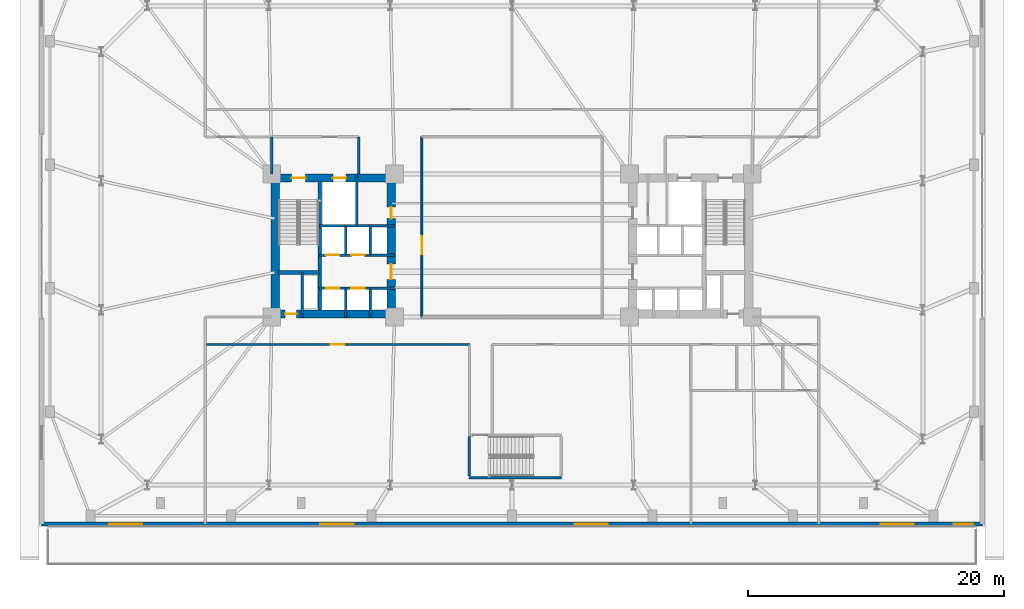
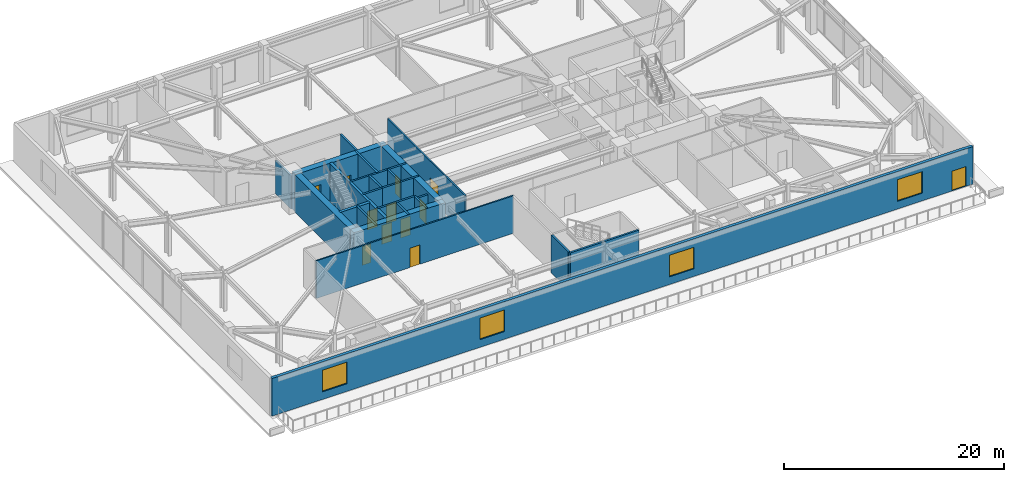
# One storey, part 13 of 21: 26 walls, 12 doors, 4 windows, 16 openings.
"""IFC4 building model written with IfcOpenShell, lengths in metres."""

from ifc_helpers import new_model, si_unit, direction, frame, frame_2d, origin, place, context, subcontext, project, spatial, rectangle, extrude, material, layer, layer_set, type_object, element, fill, save


model = new_model("IFC4")

# Units and contexts
model_context = context("Model", 3, precision=1e-05, world=origin(), true_north=direction((0.0, 1.0)))
body_context = subcontext(model_context, "Body", "Model", "MODEL_VIEW")
ifc_project = project(units=[si_unit("LENGTHUNIT", "METRE"), si_unit("AREAUNIT", "SQUARE_METRE"), si_unit("VOLUMEUNIT", "CUBIC_METRE"), si_unit("PLANEANGLEUNIT", "RADIAN"), si_unit("MASSUNIT", "GRAM", prefix="KILO")], contexts=[model_context])

# Site, building, storey
site_placement = place(None, origin())
site = spatial("IfcSite", under=ifc_project, at=site_placement, CompositionType="ELEMENT")
building_placement = place(site_placement, origin())
building = spatial("IfcBuilding", under=site, at=building_placement, Name="Qobustan Lattice House", CompositionType="ELEMENT")
storey_placement = place(building_placement, frame((0.0, 0.0, 13.5)))
storey = spatial("IfcBuildingStorey", under=building, at=storey_placement, Name="L03", CompositionType="ELEMENT", Elevation=13.5)

# Wall, openings, doors
ifc_material_1 = material(Name="Concrete C60/75", Category="concrete")
ifc_layer_1 = layer(ifc_material_1, 0.639892578125)
ifc_layer_set_1 = layer_set([ifc_layer_1], Name="Concrete C60/75")
wall_type_1 = type_object("IfcWallType", Name="WAL-CORE-640", PredefinedType="SHEAR", material=ifc_layer_set_1)
wall_1_placement = place(storey_placement, frame((-18.800048828125, 5.280029296875, 0.0), z_axis=(0.0, 0.0, 1.0), x_axis=(1.0, 0.0, 0.0)))
wall_1 = element("IfcWall", 1, at=wall_1_placement, inside=storey, type_object=wall_type_1, Name="L03 split-core shear wall CW-N", PredefinedType="SHEAR", context=body_context, shape_type="SweptSolid", body=[
    extrude(rectangle(XDim=9.60009765625, YDim=0.639892578125, at=frame_2d((4.800048828125, 0.0))), origin(), (0.0, 0.0, 1.0), 4.169921875),
])
opening_1_placement = place(wall_1_placement, frame((1.550048828125, 0.0, 0.0)))
opening_1 = element("IfcOpeningElement", 2, at=opening_1_placement, cuts=wall_1, Name="Opening SD-01", PredefinedType="OPENING", context=body_context, shape_type="SweptSolid", body=[
    extrude(rectangle(XDim=1.10009765625, YDim=2.14990234375, at=frame_2d((0.550048828125, 1.074951171875))), frame((0.0, 0.329833984375, 0.0), z_axis=(0.0, -1.0, 0.0), x_axis=(1.0, 0.0, 0.0)), (0.0, 0.0, 1.0), 0.659912109375),
])
opening_2_placement = place(wall_1_placement, frame((4.77490234375, 0.0, 0.0)))
opening_2 = element("IfcOpeningElement", 3, at=opening_2_placement, cuts=wall_1, Name="Opening LD-01", PredefinedType="OPENING", context=body_context, shape_type="SweptSolid", body=[
    extrude(rectangle(XDim=1.050048828125, YDim=2.10009765625, at=frame_2d((0.52490234375, 1.050048828125))), frame((0.0, 0.329833984375, 0.0), z_axis=(0.0, -1.0, 0.0), x_axis=(1.0, 0.0, 0.0)), (0.0, 0.0, 1.0), 0.659912109375),
])
ifc_material_2 = material(Name="Persian walnut timber and steel frame door", Category="steel")
door_type_1 = type_object("IfcDoorType", Name="DOR-LIFT-LD-1050x2100", OperationType="NOTDEFINED", PredefinedType="DOOR", material=ifc_material_2)
door_1_placement = place(opening_2_placement, origin())
door_1 = element("IfcDoor", 4, at=door_1_placement, inside=storey, type_object=door_type_1, Name="L03 firefighting lift FF-W landing door", OperationType="DOUBLE_DOOR_SLIDING", OverallHeight=2.10009765625, OverallWidth=1.050048828125, PredefinedType="DOOR", context=body_context, shape_type="SweptSolid", body=[
    extrude(rectangle(XDim=1.050048828125, YDim=2.10009765625, at=frame_2d((0.52490234375, 1.050048828125))), frame((0.0, 0.02490234375, 0.0), z_axis=(0.0, -1.0, 0.0), x_axis=(1.0, 0.0, 0.0)), (0.0, 0.0, 1.0), 0.050048828125),
])
fill(opening_2, door_1)
ifc_material_3 = material(Name="Persian walnut timber and steel frame door", Category="steel")
door_type_2 = type_object("IfcDoorType", Name="DOR-STAIR-FD-1100x2150", OperationType="NOTDEFINED", PredefinedType="DOOR", material=ifc_material_3)
door_2_placement = place(opening_1_placement, origin())
door_2 = element("IfcDoor", 5, at=door_2_placement, inside=storey, type_object=door_type_2, Name="L03 exit stair ST-W1 fire door", OperationType="SINGLE_SWING_RIGHT", OverallHeight=2.14990234375, OverallWidth=1.10009765625, PredefinedType="DOOR", context=body_context, shape_type="SweptSolid", body=[
    extrude(rectangle(XDim=1.10009765625, YDim=2.14990234375, at=frame_2d((0.550048828125, 1.074951171875))), frame((0.0, 0.02490234375, 0.0), z_axis=(0.0, -1.0, 0.0), x_axis=(1.0, 0.0, 0.0)), (0.0, 0.0, 1.0), 0.050048828125),
])
fill(opening_1, door_2)

# Wall, opening, door
wall_2_placement = place(storey_placement, frame((-18.800048828125, -5.35009765625, 0.0), z_axis=(0.0, 0.0, 1.0), x_axis=(1.0, 0.0, 0.0)))
wall_2 = element("IfcWall", 6, at=wall_2_placement, inside=storey, type_object=wall_type_1, Name="L03 split-core shear wall CW-S", PredefinedType="SHEAR", context=body_context, shape_type="SweptSolid", body=[
    extrude(rectangle(XDim=9.60009765625, YDim=0.639892578125, at=frame_2d((4.800048828125, 0.0))), origin(), (0.0, 0.0, 1.0), 4.169921875),
])
opening_3_placement = place(wall_2_placement, frame((1.050048828125, 0.0, 0.0)))
opening_3 = element("IfcOpeningElement", 7, at=opening_3_placement, cuts=wall_2, Name="Opening RD-01", PredefinedType="OPENING", context=body_context, shape_type="SweptSolid", body=[
    extrude(rectangle(XDim=0.89990234375, YDim=2.10009765625, at=frame_2d((0.449951171875, 1.050048828125))), frame((0.0, 0.329833984375, 0.0), z_axis=(0.0, -1.0, 0.0), x_axis=(1.0, 0.0, 0.0)), (0.0, 0.0, 1.0), 0.659912109375),
])
ifc_material_4 = material(Name="Persian walnut timber and steel frame door", Category="steel")
door_type_3 = type_object("IfcDoorType", Name="DOR-RISER-FD-900x2100", OperationType="NOTDEFINED", PredefinedType="DOOR", material=ifc_material_4)
door_3_placement = place(opening_3_placement, origin())
door_3 = element("IfcDoor", 8, at=door_3_placement, inside=storey, type_object=door_type_3, Name="L03 core service riser access door W", OperationType="SINGLE_SWING_RIGHT", OverallHeight=2.10009765625, OverallWidth=0.89990234375, PredefinedType="DOOR", context=body_context, shape_type="SweptSolid", body=[
    extrude(rectangle(XDim=0.89990234375, YDim=2.10009765625, at=frame_2d((0.449951171875, 1.050048828125))), frame((0.0, 0.02490234375, 0.0), z_axis=(0.0, -1.0, 0.0), x_axis=(1.0, 0.0, 0.0)), (0.0, 0.0, 1.0), 0.050048828125),
])
fill(opening_3, door_3)

# Wall
wall_3_placement = place(storey_placement, frame((-18.530029296875, -5.050048828125, 0.0), z_axis=(0.0, 0.0, 1.0), x_axis=(0.0, 1.0, 0.0)))
element("IfcWall", 9, at=wall_3_placement, inside=storey, type_object=wall_type_1, Name="L03 split-core shear wall CW-W", PredefinedType="SHEAR", context=body_context, shape_type="SweptSolid", body=[
    extrude(rectangle(XDim=10.10009765625, YDim=0.639892578125, at=frame_2d((5.050048828125, 0.0))), origin(), (0.0, 0.0, 1.0), 4.169921875),
])

# Wall, openings, doors
wall_4_placement = place(storey_placement, frame((-9.449951171875, -5.050048828125, 0.0), z_axis=(0.0, 0.0, 1.0), x_axis=(0.0, 1.0, 0.0)))
wall_4 = element("IfcWall", 10, at=wall_4_placement, inside=storey, type_object=wall_type_1, Name="L03 split-core shear wall CW-E", PredefinedType="SHEAR", context=body_context, shape_type="SweptSolid", body=[
    extrude(rectangle(XDim=10.10009765625, YDim=0.639892578125, at=frame_2d((5.050048828125, 0.0))), origin(), (0.0, 0.0, 1.0), 4.169921875),
])
opening_4_placement = place(wall_4_placement, frame((7.14990234375, 0.0, 0.0)))
opening_4 = element("IfcOpeningElement", 11, at=opening_4_placement, cuts=wall_4, Name="Opening RD-01", PredefinedType="OPENING", context=body_context, shape_type="SweptSolid", body=[
    extrude(rectangle(XDim=0.89990234375, YDim=2.10009765625, at=frame_2d((0.449951171875, 1.050048828125))), frame((0.0, 0.329833984375, 0.0), z_axis=(0.0, -1.0, 0.0), x_axis=(1.0, 0.0, 0.0)), (0.0, 0.0, 1.0), 0.659912109375),
])
opening_5_placement = place(wall_4_placement, frame((2.39990234375, 0.0, 0.0)))
opening_5 = element("IfcOpeningElement", 12, at=opening_5_placement, cuts=wall_4, Name="Opening FD-01", PredefinedType="OPENING", context=body_context, shape_type="SweptSolid", body=[
    extrude(rectangle(XDim=1.199951171875, YDim=2.14990234375, at=frame_2d((0.60009765625, 1.074951171875))), frame((0.0, 0.329833984375, 0.0), z_axis=(0.0, -1.0, 0.0), x_axis=(1.0, 0.0, 0.0)), (0.0, 0.0, 1.0), 0.659912109375),
])
ifc_material_5 = material(Name="Persian walnut timber and steel frame door", Category="steel")
door_type_4 = type_object("IfcDoorType", Name="DOR-LOBBY-FD-1200x2150", OperationType="NOTDEFINED", PredefinedType="DOOR", material=ifc_material_5)
door_4_placement = place(opening_5_placement, origin())
door_4 = element("IfcDoor", 13, at=door_4_placement, inside=storey, type_object=door_type_4, Name="L03 West passenger lift lobby fire door", OperationType="SINGLE_SWING_LEFT", OverallHeight=2.14990234375, OverallWidth=1.199951171875, PredefinedType="DOOR", context=body_context, shape_type="SweptSolid", body=[
    extrude(rectangle(XDim=1.199951171875, YDim=2.14990234375, at=frame_2d((0.60009765625, 1.074951171875))), frame((0.0, 0.02490234375, 0.0), z_axis=(0.0, -1.0, 0.0), x_axis=(1.0, 0.0, 0.0)), (0.0, 0.0, 1.0), 0.050048828125),
])
fill(opening_5, door_4)
door_5_placement = place(opening_4_placement, origin())
door_5 = element("IfcDoor", 14, at=door_5_placement, inside=storey, type_object=door_type_3, Name="L03 Floor tea pantry fire door", OperationType="SINGLE_SWING_RIGHT", OverallHeight=2.10009765625, OverallWidth=0.89990234375, PredefinedType="DOOR", context=body_context, shape_type="SweptSolid", body=[
    extrude(rectangle(XDim=0.89990234375, YDim=2.10009765625, at=frame_2d((0.449951171875, 1.050048828125))), frame((0.0, 0.02490234375, 0.0), z_axis=(0.0, -1.0, 0.0), x_axis=(1.0, 0.0, 0.0)), (0.0, 0.0, 1.0), 0.050048828125),
])
fill(opening_4, door_5)

# Walls
ifc_material_6 = material(Name="Concrete C50/60", Category="concrete")
ifc_layer_2 = layer(ifc_material_6, 0.280029296875)
ifc_layer_set_2 = layer_set([ifc_layer_2], Name="Concrete C50/60")
wall_type_2 = type_object("IfcWallType", Name="WAL-CORE-SPINE-280", PredefinedType="SHEAR", material=ifc_layer_set_2)
wall_5_placement = place(storey_placement, frame((-15.050048828125, -5.050048828125, 0.0), z_axis=(0.0, 0.0, 1.0), x_axis=(0.0, 1.0, 0.0)))
element("IfcWall", 15, at=wall_5_placement, inside=storey, type_object=wall_type_2, Name="L03 split-core shear wall CW-M", PredefinedType="SHEAR", context=body_context, shape_type="SweptSolid", body=[
    extrude(rectangle(XDim=10.10009765625, YDim=0.300048828125, at=frame_2d((5.050048828125, 0.0))), origin(), (0.0, 0.0, 1.0), 4.169921875),
])
wall_6_placement = place(storey_placement, frame((-18.280029296875, -2.110107421875, 0.0), z_axis=(0.0, 0.0, 1.0), x_axis=(1.0, 0.0, 0.0)))
element("IfcWall", 16, at=wall_6_placement, inside=storey, type_object=wall_type_2, Name="L03 split-core shear wall CW-ST", PredefinedType="SHEAR", context=body_context, shape_type="SweptSolid", body=[
    extrude(rectangle(XDim=3.179931640625, YDim=0.300048828125, at=frame_2d((1.58984375, 0.0))), origin(), (0.0, 0.0, 1.0), 4.169921875),
])

# Wall, openings, door, windows
ifc_material_7 = material(Name="Precast concrete C40/50", Category="concrete")
ifc_layer_3 = layer(ifc_material_7, 0.320068359375)
ifc_layer_set_3 = layer_set([ifc_layer_3], Name="Precast concrete C40/50")
wall_type_3 = type_object("IfcWallType", Name="WAL-EXT-STONE-320", PredefinedType="SOLIDWALL", material=ifc_layer_set_3)
wall_7_placement = place(storey_placement, frame((36.800048828125, -21.800048828125, 0.0), z_axis=(0.0, 0.0, 1.0), x_axis=(-1.0, 0.0, 0.0)))
wall_7 = element("IfcWall", 17, at=wall_7_placement, inside=storey, type_object=wall_type_3, Name="L03 exterior limestone-clad wall 4", PredefinedType="SOLIDWALL", context=body_context, shape_type="SweptSolid", body=[
    extrude(rectangle(XDim=73.60009765625, YDim=0.320068359375, at=frame_2d((36.800048828125, 0.0))), origin(), (0.0, 0.0, 1.0), 4.169921875),
])
opening_6_placement = place(wall_7_placement, frame((0.75, 0.0, 0.0)))
opening_6 = element("IfcOpeningElement", 18, at=opening_6_placement, cuts=wall_7, Name="Opening TD-02", PredefinedType="OPENING", context=body_context, shape_type="SweptSolid", body=[
    extrude(rectangle(XDim=1.5, YDim=2.199951171875, at=frame_2d((0.75, 1.10009765625))), frame((0.0, 0.169921875, 0.0), z_axis=(0.0, -1.0, 0.0), x_axis=(1.0, 0.0, 0.0)), (0.0, 0.0, 1.0), 0.340087890625),
])
opening_7_placement = place(wall_7_placement, frame((5.34716796875, 0.0, 0.85009765625)))
opening_7 = element("IfcOpeningElement", 19, at=opening_7_placement, cuts=wall_7, Name="Opening WN-06", PredefinedType="OPENING", context=body_context, shape_type="SweptSolid", body=[
    extrude(rectangle(XDim=2.60009765625, YDim=2.39990234375, at=frame_2d((1.300048828125, 1.199951171875))), frame((0.0, 0.169921875, 0.0), z_axis=(0.0, -1.0, 0.0), x_axis=(1.0, 0.0, 0.0)), (0.0, 0.0, 1.0), 0.340087890625),
])
opening_8_placement = place(wall_7_placement, frame((29.293212890625, 0.0, 0.85009765625)))
opening_8 = element("IfcOpeningElement", 20, at=opening_8_placement, cuts=wall_7, Name="Opening WN-06", PredefinedType="OPENING", context=body_context, shape_type="SweptSolid", body=[
    extrude(rectangle(XDim=2.60009765625, YDim=2.39990234375, at=frame_2d((1.300048828125, 1.199951171875))), frame((0.0, 0.169921875, 0.0), z_axis=(0.0, -1.0, 0.0), x_axis=(1.0, 0.0, 0.0)), (0.0, 0.0, 1.0), 0.340087890625),
])
opening_9_placement = place(wall_7_placement, frame((49.19482421875, 0.0, 0.85009765625)))
opening_9 = element("IfcOpeningElement", 21, at=opening_9_placement, cuts=wall_7, Name="Opening WN-06", PredefinedType="OPENING", context=body_context, shape_type="SweptSolid", body=[
    extrude(rectangle(XDim=2.60009765625, YDim=2.39990234375, at=frame_2d((1.300048828125, 1.199951171875))), frame((0.0, 0.169921875, 0.0), z_axis=(0.0, -1.0, 0.0), x_axis=(1.0, 0.0, 0.0)), (0.0, 0.0, 1.0), 0.340087890625),
])
opening_10_placement = place(wall_7_placement, frame((65.73291015625, 0.0, 0.85009765625)))
opening_10 = element("IfcOpeningElement", 22, at=opening_10_placement, cuts=wall_7, Name="Opening WN-06", PredefinedType="OPENING", context=body_context, shape_type="SweptSolid", body=[
    extrude(rectangle(XDim=2.60009765625, YDim=2.39990234375, at=frame_2d((1.300048828125, 1.199951171875))), frame((0.0, 0.169921875, 0.0), z_axis=(0.0, -1.0, 0.0), x_axis=(1.0, 0.0, 0.0)), (0.0, 0.0, 1.0), 0.340087890625),
])
ifc_material_8 = material(Name="Thermally broken anodised aluminium glazed door", Category="aluminium")
door_type_5 = type_object("IfcDoorType", Name="DOR-EXT-GARD-1500x2200", OperationType="NOTDEFINED", PredefinedType="DOOR", material=ifc_material_8)
door_6_placement = place(opening_6_placement, origin())
door_6 = element("IfcDoor", 23, at=door_6_placement, inside=storey, type_object=door_type_5, Name="L03 outdoor terrace access door", OperationType="SINGLE_SWING_RIGHT", OverallHeight=2.199951171875, OverallWidth=1.5, PredefinedType="DOOR", context=body_context, shape_type="SweptSolid", body=[
    extrude(rectangle(XDim=1.5, YDim=2.199951171875, at=frame_2d((0.75, 1.10009765625))), frame((0.0, 0.02490234375, 0.0), z_axis=(0.0, -1.0, 0.0), x_axis=(1.0, 0.0, 0.0)), (0.0, 0.0, 1.0), 0.050048828125),
])
fill(opening_6, door_6)
ifc_material_9 = material(Name="Double-glazed low-E aluminium window", Category="aluminium")
window_type = type_object("IfcWindowType", Name="WIN-POD-2600x2400", PartitioningType="SINGLE_PANEL", PredefinedType="WINDOW", material=ifc_material_9)
window_1_placement = place(opening_7_placement, origin())
window_1 = element("IfcWindow", 24, at=window_1_placement, inside=storey, type_object=window_type, Name="L03 Games and recreation clubroom window", OverallHeight=2.39990234375, OverallWidth=2.60009765625, PartitioningType="SINGLE_PANEL", PredefinedType="WINDOW", context=body_context, shape_type="SweptSolid", body=[
    extrude(rectangle(XDim=2.60009765625, YDim=2.39990234375, at=frame_2d((1.300048828125, 1.199951171875))), frame((0.0, 0.030029296875, 0.0), z_axis=(0.0, -1.0, 0.0), x_axis=(1.0, 0.0, 0.0)), (0.0, 0.0, 1.0), 0.06005859375),
])
fill(opening_7, window_1)
window_2_placement = place(opening_8_placement, origin())
window_2 = element("IfcWindow", 25, at=window_2_placement, inside=storey, type_object=window_type, Name="L03 Garden cafe servery window", OverallHeight=2.39990234375, OverallWidth=2.60009765625, PartitioningType="SINGLE_PANEL", PredefinedType="WINDOW", context=body_context, shape_type="SweptSolid", body=[
    extrude(rectangle(XDim=2.60009765625, YDim=2.39990234375, at=frame_2d((1.300048828125, 1.199951171875))), frame((0.0, 0.030029296875, 0.0), z_axis=(0.0, -1.0, 0.0), x_axis=(1.0, 0.0, 0.0)), (0.0, 0.0, 1.0), 0.06005859375),
])
fill(opening_8, window_2)
window_3_placement = place(opening_9_placement, origin())
window_3 = element("IfcWindow", 26, at=window_3_placement, inside=storey, type_object=window_type, Name="L03 Student garden commons lounge window", OverallHeight=2.39990234375, OverallWidth=2.60009765625, PartitioningType="SINGLE_PANEL", PredefinedType="WINDOW", context=body_context, shape_type="SweptSolid", body=[
    extrude(rectangle(XDim=2.60009765625, YDim=2.39990234375, at=frame_2d((1.300048828125, 1.199951171875))), frame((0.0, 0.030029296875, 0.0), z_axis=(0.0, -1.0, 0.0), x_axis=(1.0, 0.0, 0.0)), (0.0, 0.0, 1.0), 0.06005859375),
])
fill(opening_9, window_3)
window_4_placement = place(opening_10_placement, origin())
window_4 = element("IfcWindow", 27, at=window_4_placement, inside=storey, type_object=window_type, Name="L03 Wellness fitness gymnasium window", OverallHeight=2.39990234375, OverallWidth=2.60009765625, PartitioningType="SINGLE_PANEL", PredefinedType="WINDOW", context=body_context, shape_type="SweptSolid", body=[
    extrude(rectangle(XDim=2.60009765625, YDim=2.39990234375, at=frame_2d((1.300048828125, 1.199951171875))), frame((0.0, 0.030029296875, 0.0), z_axis=(0.0, -1.0, 0.0), x_axis=(1.0, 0.0, 0.0)), (0.0, 0.0, 1.0), 0.06005859375),
])
fill(opening_10, window_4)

# Wall, opening, door
ifc_material_10 = material(Name="Acoustic twin-stud gypsum partition", Category="gypsum")
ifc_layer_4 = layer(ifc_material_10, 0.14990234375)
ifc_layer_set_4 = layer_set([ifc_layer_4], Name="Acoustic twin-stud gypsum partition")
wall_type_4 = type_object("IfcWallType", Name="WAL-PART-150", PredefinedType="PARTITIONING", material=ifc_layer_set_4)
wall_8_placement = place(storey_placement, frame((-3.320068359375, -7.75, 0.0), z_axis=(0.0, 0.0, 1.0), x_axis=(-1.0, 0.0, 0.0)))
wall_8 = element("IfcWall", 28, at=wall_8_placement, inside=storey, type_object=wall_type_4, Name="L03 interior partition 44", PredefinedType="PARTITIONING", context=body_context, shape_type="SweptSolid", body=[
    extrude(rectangle(XDim=20.679931640625, YDim=0.14990234375, at=frame_2d((10.33984375, 0.0))), origin(), (0.0, 0.0, 1.0), 4.169921875),
])
opening_11_placement = place(wall_8_placement, frame((9.81494140625, 0.0, 0.0)))
opening_11 = element("IfcOpeningElement", 29, at=opening_11_placement, cuts=wall_8, Name="Opening ID-02", PredefinedType="OPENING", context=body_context, shape_type="SweptSolid", body=[
    extrude(rectangle(XDim=1.050048828125, YDim=2.14990234375, at=frame_2d((0.52490234375, 1.074951171875))), frame((0.0, 0.0849609375, 0.0), z_axis=(0.0, -1.0, 0.0), x_axis=(1.0, 0.0, 0.0)), (0.0, 0.0, 1.0), 0.169921875),
])
ifc_material_11 = material(Name="Persian walnut timber and steel frame door", Category="steel")
door_type_6 = type_object("IfcDoorType", Name="DOR-STUDY-1050x2150", OperationType="NOTDEFINED", PredefinedType="DOOR", material=ifc_material_11)
door_7_placement = place(opening_11_placement, origin())
door_7 = element("IfcDoor", 30, at=door_7_placement, inside=storey, type_object=door_type_6, Name="L03 South-west podium corridor to Student garden commons lounge door", OperationType="SINGLE_SWING_RIGHT", OverallHeight=2.14990234375, OverallWidth=1.050048828125, PredefinedType="DOOR", context=body_context, shape_type="SweptSolid", body=[
    extrude(rectangle(XDim=1.050048828125, YDim=2.14990234375, at=frame_2d((0.52490234375, 1.074951171875))), frame((0.0, 0.02490234375, 0.0), z_axis=(0.0, -1.0, 0.0), x_axis=(1.0, 0.0, 0.0)), (0.0, 0.0, 1.0), 0.050048828125),
])
fill(opening_11, door_7)

wall_9_placement = place(storey_placement, frame((-7.050048828125, 8.5, 0.0), z_axis=(0.0, 0.0, 1.0), x_axis=(0.0, -1.0, 0.0)))
wall_9 = element("IfcWall", 31, at=wall_9_placement, inside=storey, type_object=wall_type_4, Name="L03 interior partition 56", PredefinedType="PARTITIONING", context=body_context, shape_type="SweptSolid", body=[
    extrude(rectangle(XDim=14.10009765625, YDim=0.14990234375, at=frame_2d((7.050048828125, 0.0))), origin(), (0.0, 0.0, 1.0), 4.169921875),
])
opening_12_placement = place(wall_9_placement, frame((7.79248046875, 0.0, 0.0)))
opening_12 = element("IfcOpeningElement", 32, at=opening_12_placement, cuts=wall_9, Name="Opening ID-04", PredefinedType="OPENING", context=body_context, shape_type="SweptSolid", body=[
    extrude(rectangle(XDim=1.39990234375, YDim=2.300048828125, at=frame_2d((0.699951171875, 1.14990234375))), frame((0.0, 0.0849609375, 0.0), z_axis=(0.0, -1.0, 0.0), x_axis=(1.0, 0.0, 0.0)), (0.0, 0.0, 1.0), 0.169921875),
])
ifc_material_12 = material(Name="Persian walnut timber and steel frame door", Category="steel")
door_type_7 = type_object("IfcDoorType", Name="DOR-POD-1400x2300", OperationType="NOTDEFINED", PredefinedType="DOOR", material=ifc_material_12)
door_8_placement = place(opening_12_placement, origin())
door_8 = element("IfcDoor", 33, at=door_8_placement, inside=storey, type_object=door_type_7, Name="L03 West podium link corridor to Wellness reception salon door", OperationType="SINGLE_SWING_LEFT", OverallHeight=2.300048828125, OverallWidth=1.39990234375, PredefinedType="DOOR", context=body_context, shape_type="SweptSolid", body=[
    extrude(rectangle(XDim=1.39990234375, YDim=2.300048828125, at=frame_2d((0.699951171875, 1.14990234375))), frame((0.0, 0.02490234375, 0.0), z_axis=(0.0, -1.0, 0.0), x_axis=(1.0, 0.0, 0.0)), (0.0, 0.0, 1.0), 0.050048828125),
])
fill(opening_12, door_8)

# Walls
ifc_material_13 = material(Name="Two-hour gypsum fireboard acoustic partition", Category="gypsum")
ifc_layer_5 = layer(ifc_material_13, 0.199951171875)
ifc_layer_set_5 = layer_set([ifc_layer_5], Name="Two-hour gypsum fireboard acoustic partition")
wall_type_5 = type_object("IfcWallType", Name="WAL-PROT-200", PredefinedType="PARTITIONING", material=ifc_layer_set_5)
wall_10_placement = place(storey_placement, frame((-12.0, 5.60009765625, 0.0), z_axis=(0.0, 0.0, 1.0), x_axis=(0.0, 1.0, 0.0)))
element("IfcWall", 34, at=wall_10_placement, inside=storey, type_object=wall_type_5, Name="L03 interior partition 4", PredefinedType="PARTITIONING", context=body_context, shape_type="SweptSolid", body=[
    extrude(rectangle(XDim=2.89990234375, YDim=0.199951171875, at=frame_2d((1.449951171875, 0.0))), origin(), (0.0, 0.0, 1.0), 4.169921875),
])
wall_11_placement = place(storey_placement, frame((-18.800048828125, 8.5, 0.0), z_axis=(0.0, 0.0, 1.0), x_axis=(0.0, -1.0, 0.0)))
element("IfcWall", 35, at=wall_11_placement, inside=storey, type_object=wall_type_5, Name="L03 interior partition 5", PredefinedType="PARTITIONING", context=body_context, shape_type="SweptSolid", body=[
    extrude(rectangle(XDim=2.89990234375, YDim=0.199951171875, at=frame_2d((1.449951171875, 0.0))), origin(), (0.0, 0.0, 1.0), 3.655029296875),
])
ifc_material_14 = material(Name="Concrete C40/50", Category="concrete")
ifc_layer_6 = layer(ifc_material_14, 0.199951171875)
ifc_layer_set_6 = layer_set([ifc_layer_6], Name="Concrete C40/50")
wall_type_6 = type_object("IfcWallType", Name="WAL-SHAFT-200", PredefinedType="PARTITIONING", material=ifc_layer_set_6)
wall_12_placement = place(storey_placement, frame((-16.39990234375, -5.60009765625, 0.0), z_axis=(0.0, 0.0, 1.0), x_axis=(0.0, 1.0, 0.0)))
element("IfcWall", 36, at=wall_12_placement, inside=storey, type_object=wall_type_6, Name="L03 interior partition 1", PredefinedType="PARTITIONING", context=body_context, shape_type="SweptSolid", body=[
    extrude(rectangle(XDim=3.489990234375, YDim=0.199951171875, at=frame_2d((1.7451171875, 0.0))), origin(), (0.0, 0.0, 1.0), 4.169921875),
])
wall_13_placement = place(storey_placement, frame((-12.14990234375, 1.550048828125, 0.0), z_axis=(0.0, 0.0, 1.0), x_axis=(0.0, 1.0, 0.0)))
element("IfcWall", 37, at=wall_13_placement, inside=storey, type_object=wall_type_6, Name="L03 interior partition 2", PredefinedType="PARTITIONING", context=body_context, shape_type="SweptSolid", body=[
    extrude(rectangle(XDim=4.050048828125, YDim=0.199951171875, at=frame_2d((2.02490234375, 0.0))), origin(), (0.0, 0.0, 1.0), 4.169921875),
])

# Wall, opening, door
wall_14_placement = place(storey_placement, frame((-15.050048828125, -3.35009765625, 0.0), z_axis=(0.0, 0.0, 1.0), x_axis=(1.0, 0.0, 0.0)))
wall_14 = element("IfcWall", 38, at=wall_14_placement, inside=storey, type_object=wall_type_6, Name="L03 interior partition 7", PredefinedType="PARTITIONING", context=body_context, shape_type="SweptSolid", body=[
    extrude(rectangle(XDim=2.030029296875, YDim=0.199951171875, at=frame_2d((1.01513671875, 0.0))), origin(), (0.0, 0.0, 1.0), 4.169921875),
])
opening_13_placement = place(wall_14_placement, frame((0.489990234375, 0.0, 0.0)))
opening_13 = element("IfcOpeningElement", 39, at=opening_13_placement, cuts=wall_14, Name="Opening LD-01", PredefinedType="OPENING", context=body_context, shape_type="SweptSolid", body=[
    extrude(rectangle(XDim=1.050048828125, YDim=2.10009765625, at=frame_2d((0.52490234375, 1.050048828125))), frame((0.0, 0.10986328125, 0.0), z_axis=(0.0, -1.0, 0.0), x_axis=(1.0, 0.0, 0.0)), (0.0, 0.0, 1.0), 0.219970703125),
])
door_9_placement = place(opening_13_placement, origin())
door_9 = element("IfcDoor", 40, at=door_9_placement, inside=storey, type_object=door_type_1, Name="L03 lift landing door", OperationType="DOUBLE_DOOR_SLIDING", OverallHeight=2.10009765625, OverallWidth=1.050048828125, PredefinedType="DOOR", context=body_context, shape_type="SweptSolid", body=[
    extrude(rectangle(XDim=1.050048828125, YDim=2.10009765625, at=frame_2d((0.52490234375, 1.050048828125))), frame((0.0, 0.02490234375, 0.0), z_axis=(0.0, -1.0, 0.0), x_axis=(1.0, 0.0, 0.0)), (0.0, 0.0, 1.0), 0.050048828125),
])
fill(opening_13, door_9)

wall_15_placement = place(storey_placement, frame((-13.02001953125, -3.35009765625, 0.0), z_axis=(0.0, 0.0, 1.0), x_axis=(1.0, 0.0, 0.0)))
wall_15 = element("IfcWall", 41, at=wall_15_placement, inside=storey, type_object=wall_type_6, Name="L03 interior partition 8", PredefinedType="PARTITIONING", context=body_context, shape_type="SweptSolid", body=[
    extrude(rectangle(XDim=1.93994140625, YDim=0.199951171875, at=frame_2d((0.969970703125, 0.0))), origin(), (0.0, 0.0, 1.0), 4.169921875),
])
opening_14_placement = place(wall_15_placement, frame((0.445068359375, 0.0, 0.0)))
opening_14 = element("IfcOpeningElement", 42, at=opening_14_placement, cuts=wall_15, Name="Opening LD-01", PredefinedType="OPENING", context=body_context, shape_type="SweptSolid", body=[
    extrude(rectangle(XDim=1.050048828125, YDim=2.10009765625, at=frame_2d((0.52490234375, 1.050048828125))), frame((0.0, 0.10986328125, 0.0), z_axis=(0.0, -1.0, 0.0), x_axis=(1.0, 0.0, 0.0)), (0.0, 0.0, 1.0), 0.219970703125),
])
door_10_placement = place(opening_14_placement, origin())
door_10 = element("IfcDoor", 43, at=door_10_placement, inside=storey, type_object=door_type_1, Name="L03 lift landing door", OperationType="DOUBLE_DOOR_SLIDING", OverallHeight=2.10009765625, OverallWidth=1.050048828125, PredefinedType="DOOR", context=body_context, shape_type="SweptSolid", body=[
    extrude(rectangle(XDim=1.050048828125, YDim=2.10009765625, at=frame_2d((0.52490234375, 1.050048828125))), frame((0.0, 0.02490234375, 0.0), z_axis=(0.0, -1.0, 0.0), x_axis=(1.0, 0.0, 0.0)), (0.0, 0.0, 1.0), 0.050048828125),
])
fill(opening_14, door_10)

# Wall
wall_16_placement = place(storey_placement, frame((-11.080078125, -3.35009765625, 0.0), z_axis=(0.0, 0.0, 1.0), x_axis=(1.0, 0.0, 0.0)))
element("IfcWall", 44, at=wall_16_placement, inside=storey, type_object=wall_type_6, Name="L03 interior partition 9", PredefinedType="PARTITIONING", context=body_context, shape_type="SweptSolid", body=[
    extrude(rectangle(XDim=1.880126953125, YDim=0.199951171875, at=frame_2d((0.93994140625, 0.0))), origin(), (0.0, 0.0, 1.0), 3.885009765625),
])

# Wall, opening, door
wall_17_placement = place(storey_placement, frame((-13.02001953125, -0.75, 0.0), z_axis=(0.0, 0.0, 1.0), x_axis=(-1.0, 0.0, 0.0)))
wall_17 = element("IfcWall", 45, at=wall_17_placement, inside=storey, type_object=wall_type_6, Name="L03 interior partition 10", PredefinedType="PARTITIONING", context=body_context, shape_type="SweptSolid", body=[
    extrude(rectangle(XDim=2.030029296875, YDim=0.199951171875, at=frame_2d((1.01513671875, 0.0))), origin(), (0.0, 0.0, 1.0), 4.169921875),
])
opening_15_placement = place(wall_17_placement, frame((0.489990234375, 0.0, 0.0)))
opening_15 = element("IfcOpeningElement", 46, at=opening_15_placement, cuts=wall_17, Name="Opening LD-01", PredefinedType="OPENING", context=body_context, shape_type="SweptSolid", body=[
    extrude(rectangle(XDim=1.050048828125, YDim=2.10009765625, at=frame_2d((0.52490234375, 1.050048828125))), frame((0.0, 0.10986328125, 0.0), z_axis=(0.0, -1.0, 0.0), x_axis=(1.0, 0.0, 0.0)), (0.0, 0.0, 1.0), 0.219970703125),
])
door_11_placement = place(opening_15_placement, origin())
door_11 = element("IfcDoor", 47, at=door_11_placement, inside=storey, type_object=door_type_1, Name="L03 lift landing door", OperationType="DOUBLE_DOOR_SLIDING", OverallHeight=2.10009765625, OverallWidth=1.050048828125, PredefinedType="DOOR", context=body_context, shape_type="SweptSolid", body=[
    extrude(rectangle(XDim=1.050048828125, YDim=2.10009765625, at=frame_2d((0.52490234375, 1.050048828125))), frame((0.0, 0.02490234375, 0.0), z_axis=(0.0, -1.0, 0.0), x_axis=(1.0, 0.0, 0.0)), (0.0, 0.0, 1.0), 0.050048828125),
])
fill(opening_15, door_11)

wall_18_placement = place(storey_placement, frame((-11.080078125, -0.75, 0.0), z_axis=(0.0, 0.0, 1.0), x_axis=(-1.0, 0.0, 0.0)))
wall_18 = element("IfcWall", 48, at=wall_18_placement, inside=storey, type_object=wall_type_6, Name="L03 interior partition 11", PredefinedType="PARTITIONING", context=body_context, shape_type="SweptSolid", body=[
    extrude(rectangle(XDim=1.93994140625, YDim=0.199951171875, at=frame_2d((0.969970703125, 0.0))), origin(), (0.0, 0.0, 1.0), 4.169921875),
])
opening_16_placement = place(wall_18_placement, frame((0.445068359375, 0.0, 0.0)))
opening_16 = element("IfcOpeningElement", 49, at=opening_16_placement, cuts=wall_18, Name="Opening LD-01", PredefinedType="OPENING", context=body_context, shape_type="SweptSolid", body=[
    extrude(rectangle(XDim=1.050048828125, YDim=2.10009765625, at=frame_2d((0.52490234375, 1.050048828125))), frame((0.0, 0.10986328125, 0.0), z_axis=(0.0, -1.0, 0.0), x_axis=(1.0, 0.0, 0.0)), (0.0, 0.0, 1.0), 0.219970703125),
])
door_12_placement = place(opening_16_placement, origin())
door_12 = element("IfcDoor", 50, at=door_12_placement, inside=storey, type_object=door_type_1, Name="L03 lift landing door", OperationType="DOUBLE_DOOR_SLIDING", OverallHeight=2.10009765625, OverallWidth=1.050048828125, PredefinedType="DOOR", context=body_context, shape_type="SweptSolid", body=[
    extrude(rectangle(XDim=1.050048828125, YDim=2.10009765625, at=frame_2d((0.52490234375, 1.050048828125))), frame((0.0, 0.02490234375, 0.0), z_axis=(0.0, -1.0, 0.0), x_axis=(1.0, 0.0, 0.0)), (0.0, 0.0, 1.0), 0.050048828125),
])
fill(opening_16, door_12)

# Walls
wall_19_placement = place(storey_placement, frame((-9.199951171875, -0.75, 0.0), z_axis=(0.0, 0.0, 1.0), x_axis=(-1.0, 0.0, 0.0)))
element("IfcWall", 51, at=wall_19_placement, inside=storey, type_object=wall_type_6, Name="L03 interior partition 12", PredefinedType="PARTITIONING", context=body_context, shape_type="SweptSolid", body=[
    extrude(rectangle(XDim=1.880126953125, YDim=0.199951171875, at=frame_2d((0.93994140625, 0.0))), origin(), (0.0, 0.0, 1.0), 4.169921875),
])
for number, where, z_axis, x_axis, name in (
    (52, (-13.02001953125, -5.60009765625, 0.0), (0.0, 0.0, 1.0), (0.0, 1.0, 0.0), "L03 interior partition 14"),
    (53, (-11.080078125, -5.60009765625, 0.0), (0.0, 0.0, 1.0), (0.0, 1.0, 0.0), "L03 interior partition 15"),
):
    element("IfcWall", number, at=place(storey_placement, frame(where, z_axis=z_axis, x_axis=x_axis)), inside=storey, type_object=wall_type_6, Name=name, PredefinedType="PARTITIONING", context=body_context, shape_type="SweptSolid", body=[
        extrude(rectangle(XDim=2.25, YDim=0.199951171875, at=frame_2d((1.125, 0.0))), origin(), (0.0, 0.0, 1.0), 4.169921875),
    ])
for number, where, z_axis, x_axis, name in (
    (54, (-13.02001953125, -0.75, 0.0), (0.0, 0.0, 1.0), (0.0, 1.0, 0.0), "L03 interior partition 16"),
    (55, (-11.080078125, -0.75, 0.0), (0.0, 0.0, 1.0), (0.0, 1.0, 0.0), "L03 interior partition 17"),
):
    element("IfcWall", number, at=place(storey_placement, frame(where, z_axis=z_axis, x_axis=x_axis)), inside=storey, type_object=wall_type_6, Name=name, PredefinedType="PARTITIONING", context=body_context, shape_type="SweptSolid", body=[
        extrude(rectangle(XDim=2.300048828125, YDim=0.199951171875, at=frame_2d((1.14990234375, 0.0))), origin(), (0.0, 0.0, 1.0), 4.169921875),
    ])
wall_20_placement = place(storey_placement, frame((-15.050048828125, 1.550048828125, 0.0), z_axis=(0.0, 0.0, 1.0), x_axis=(1.0, 0.0, 0.0)))
element("IfcWall", 56, at=wall_20_placement, inside=storey, type_object=wall_type_6, Name="L03 interior partition 73", PredefinedType="PARTITIONING", context=body_context, shape_type="SweptSolid", body=[
    extrude(rectangle(XDim=5.85009765625, YDim=0.199951171875, at=frame_2d((2.925048828125, 0.0))), origin(), (0.0, 0.0, 1.0), 4.169921875),
])
ifc_material_15 = material(Name="Concrete C40/50", Category="concrete")
ifc_layer_7 = layer(ifc_material_15, 0.199951171875)
ifc_layer_set_7 = layer_set([ifc_layer_7], Name="Concrete C40/50")
wall_type_7 = type_object("IfcWallType", Name="WAL-SHAFT-LB-200", PredefinedType="SHEAR", material=ifc_layer_set_7)
wall_21_placement = place(storey_placement, frame((-3.360107421875, -18.159912109375, 0.0), z_axis=(0.0, 0.0, 1.0), x_axis=(1.0, 0.0, 0.0)))
element("IfcWall", 57, at=wall_21_placement, inside=storey, type_object=wall_type_7, Name="L03 podium stair ST-P1 RC shaft wall STP-S", PredefinedType="SHEAR", context=body_context, shape_type="SweptSolid", body=[
    extrude(rectangle(XDim=7.22021484375, YDim=0.199951171875, at=frame_2d((3.610107421875, 0.0))), origin(), (0.0, 0.0, 1.0), 4.169921875),
])
wall_22_placement = place(storey_placement, frame((-3.360107421875, -18.0400390625, 0.0), z_axis=(0.0, 0.0, 1.0), x_axis=(0.0, 1.0, 0.0)))
element("IfcWall", 58, at=wall_22_placement, inside=storey, type_object=wall_type_7, Name="L03 podium stair ST-P1 RC shaft wall STP-W", PredefinedType="SHEAR", context=body_context, shape_type="SweptSolid", body=[
    extrude(rectangle(XDim=3.080078125, YDim=0.199951171875, at=frame_2d((1.5400390625, 0.0))), origin(), (0.0, 0.0, 1.0), 4.169921875),
])

save(model, "model.ifc")
